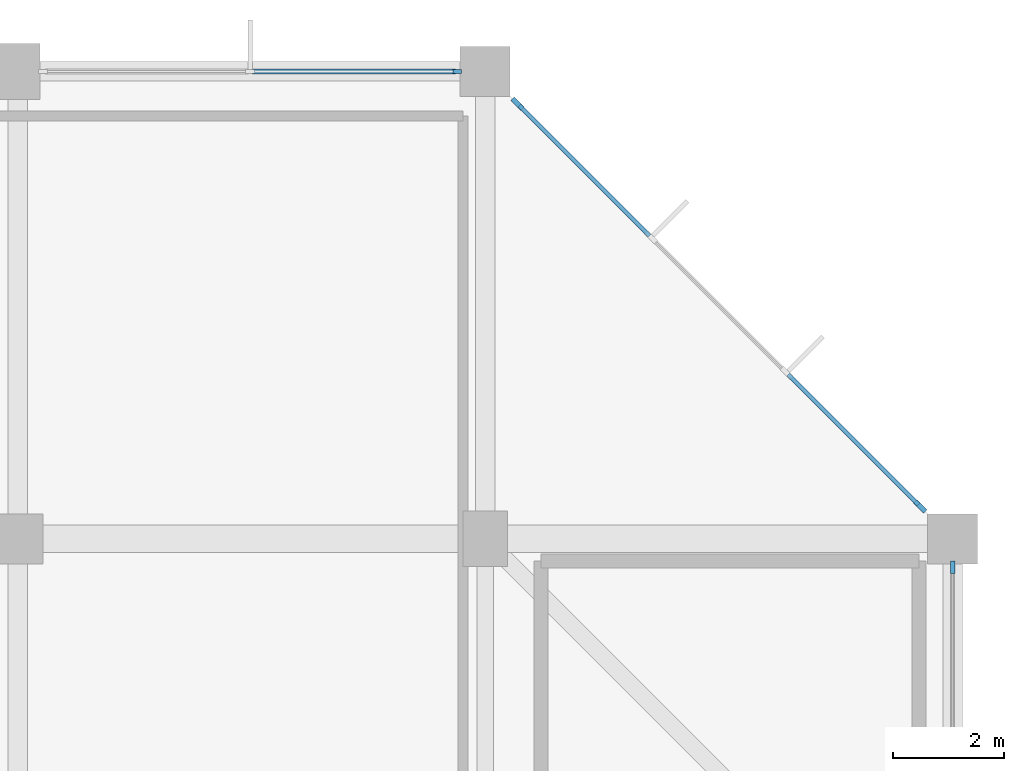
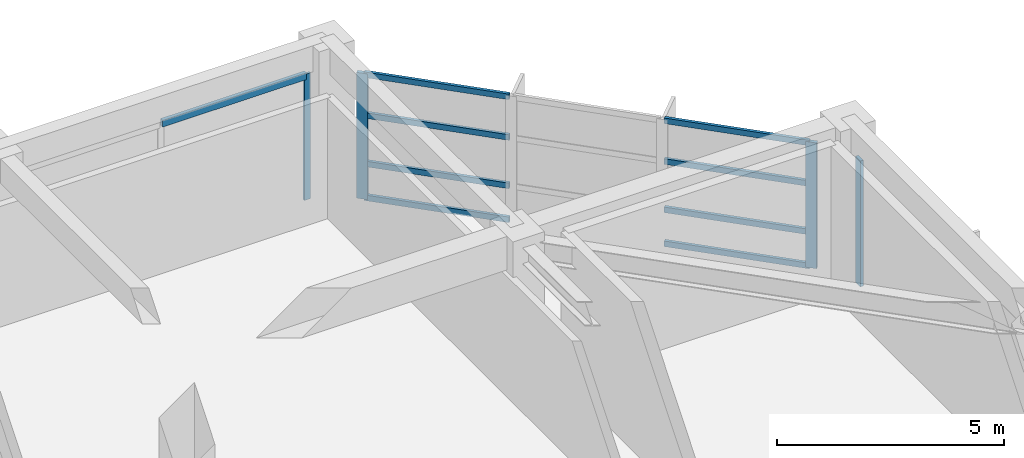
# One storey, part 7 of 12: 13 members, 3 elements without a shape of their own.
"""IFC4 building model written with IfcOpenShell, lengths in metres."""

from ifc_helpers import new_model, si_unit, direction, frame, origin, origin_2d, place, context, subcontext, project, spatial, rectangle, extrude, material, material_profile, profile_set, type_object, element, aggregate, save


model = new_model("IFC4")

# Units and contexts
model_context = context("Model", 3, precision=1e-05, world=origin(), true_north=direction((0.0, 1.0)))
body_context = subcontext(model_context, "Body", "Model", "MODEL_VIEW")
ifc_project = project(units=[si_unit("LENGTHUNIT", "METRE"), si_unit("AREAUNIT", "SQUARE_METRE"), si_unit("VOLUMEUNIT", "CUBIC_METRE"), si_unit("PLANEANGLEUNIT", "RADIAN"), si_unit("MASSUNIT", "GRAM", prefix="KILO")], contexts=[model_context])

# Site, building, storey
site_placement = place(None, origin())
site = spatial("IfcSite", under=ifc_project, at=site_placement, CompositionType="ELEMENT")
building_placement = place(site_placement, origin())
building = spatial("IfcBuilding", under=site, at=building_placement, Name="Xuanlan Plaza Opera House", CompositionType="ELEMENT")
storey_placement = place(building_placement, frame((0.0, 0.0, 65.699951171875)))
storey = spatial("IfcBuildingStorey", under=building, at=storey_placement, Name="L15", CompositionType="ELEMENT", Elevation=65.699951171875)

# Curtain wall, member
ifc_material_1 = material(Name="Anodised Aluminium 6063-T6 and Low-E Glass", Category="aluminium")
curtain_wall_type_1 = type_object("IfcCurtainWallType", Name="ENV-CW-CW-02", PredefinedType="USERDEFINED", material=ifc_material_1)
curtain_wall_1_placement = place(storey_placement, origin())
curtain_wall_1 = element("IfcCurtainWall", 1, at=curtain_wall_1_placement, inside=storey, type_object=curtain_wall_type_1, Name="Unitised Curtain Wall L15-009", ObjectType="UNITISED CURTAIN WALL", PredefinedType="USERDEFINED")
ifc_material_2 = material(Name="Anodised Aluminium 6063-T6", Category="aluminium")
ifc_material_profile_1 = material_profile(ifc_material_2, rectangle(XDim=0.06494140625, YDim=0.159912109375, at=origin_2d()), Name="ALU-M 65x160")
ifc_profile_set_1 = profile_set([ifc_material_profile_1], Name="Anodised Aluminium 6063-T6")
member_type_1 = type_object("IfcMemberType", Name="ENV-CWM-01", PredefinedType="MULLION", material=ifc_profile_set_1)
member_1_placement = place(storey_placement, frame((150.697509765625, 84.0, 0.0), z_axis=(0.0, 0.0, 1.0), x_axis=(0.0, -1.0, 0.0)))
member_1 = element("IfcMember", 2, at=member_1_placement, type_object=member_type_1, Name="CW-02 mullion 1", PredefinedType="MULLION", context=body_context, shape_type="SweptSolid", body=[
    extrude(rectangle(XDim=0.06494140625, YDim=0.159912109375, at=origin_2d()), origin(), (0.0, 0.0, 1.0), 3.380126953125),
])

curtain_wall_type_2 = type_object("IfcCurtainWallType", Name="ENV-CW-CW-04", PredefinedType="USERDEFINED", material=ifc_material_1)
curtain_wall_2_placement = place(storey_placement, origin())
curtain_wall_2 = element("IfcCurtainWall", 3, at=curtain_wall_2_placement, inside=storey, type_object=curtain_wall_type_2, Name="Unitised Curtain Wall L15-007", ObjectType="UNITISED CURTAIN WALL", PredefinedType="USERDEFINED")
ifc_material_profile_2 = material_profile(ifc_material_2, rectangle(XDim=0.080078125, YDim=0.219970703125, at=origin_2d()), Name="ALU-M 80x220")
ifc_profile_set_2 = profile_set([ifc_material_profile_2], Name="Anodised Aluminium 6063-T6")
member_type_2 = type_object("IfcMemberType", Name="ENV-CWM-04", PredefinedType="MULLION", material=ifc_profile_set_2)
member_2_placement = place(storey_placement, frame((159.60009765625, 75.090087890625, 0.0), z_axis=(0.0, 0.0, 1.0), x_axis=(-1.0, 0.0, 0.0)))
member_2 = element("IfcMember", 4, at=member_2_placement, type_object=member_type_2, Name="CW-04 mullion 3", PredefinedType="MULLION", context=body_context, shape_type="SweptSolid", body=[
    extrude(rectangle(XDim=0.080078125, YDim=0.219970703125, at=origin_2d()), origin(), (0.0, 0.0, 1.0), 3.380126953125),
])
aggregate(curtain_wall_2, [member_2])

# Curtain wall, members
curtain_wall_type_3 = type_object("IfcCurtainWallType", Name="ENV-CW-CW-01", PredefinedType="USERDEFINED", material=ifc_material_1)
curtain_wall_3_placement = place(storey_placement, origin())
curtain_wall_3 = element("IfcCurtainWall", 5, at=curtain_wall_3_placement, inside=storey, type_object=curtain_wall_type_3, Name="Unitised Curtain Wall L15-008", ObjectType="UNITISED CURTAIN WALL", PredefinedType="USERDEFINED")
ifc_material_profile_3 = material_profile(ifc_material_2, rectangle(XDim=0.090087890625, YDim=0.25, at=origin_2d()), Name="ALU-M 90x250")
ifc_profile_set_3 = profile_set([ifc_material_profile_3], Name="Anodised Aluminium 6063-T6")
member_type_3 = type_object("IfcMemberType", Name="ENV-CWM-05", PredefinedType="MULLION", material=ifc_profile_set_3)
member_3_placement = place(storey_placement, frame((159.019287109375, 76.180908203125, 0.0), z_axis=(0.0, 0.0, 1.0), x_axis=(-0.707106781187, -0.707106781187, 0.0)))
member_3 = element("IfcMember", 6, at=member_3_placement, type_object=member_type_3, Name="CW-01 mullion 1", PredefinedType="MULLION", context=body_context, shape_type="SweptSolid", body=[
    extrude(rectangle(XDim=0.090087890625, YDim=0.25, at=origin_2d()), origin(), (0.0, 0.0, 1.0), 3.380126953125),
])
member_4_placement = place(storey_placement, frame((151.78076171875, 83.419189453125, 0.0), z_axis=(0.0, 0.0, 1.0), x_axis=(-0.707106781187, -0.707106781187, 0.0)))
member_4 = element("IfcMember", 7, at=member_4_placement, type_object=member_type_3, Name="CW-01 mullion 4", PredefinedType="MULLION", context=body_context, shape_type="SweptSolid", body=[
    extrude(rectangle(XDim=0.090087890625, YDim=0.25, at=origin_2d()), origin(), (0.0, 0.0, 1.0), 3.380126953125),
])
ifc_material_profile_4 = material_profile(ifc_material_2, rectangle(XDim=0.074951171875, YDim=0.14990234375, at=origin_2d()), Name="ALU-T 75x150")
ifc_profile_set_4 = profile_set([ifc_material_profile_4], Name="Anodised Aluminium 6063-T6")
member_type_4 = type_object("IfcMemberType", Name="ENV-CWT-03", PredefinedType="USERDEFINED", material=ifc_profile_set_4)
member_5_placement = place(storey_placement, frame((158.9873046875, 76.212646484375, 0.03759765625), z_axis=(-0.707069869079, 0.707143691367, 0.0), x_axis=(-0.707143691367, -0.707069869079, 0.0)))
member_5 = element("IfcMember", 8, at=member_5_placement, type_object=member_type_4, Name="CW-01 transom 1.1", ObjectType="TRANSOM", PredefinedType="USERDEFINED", context=body_context, shape_type="SweptSolid", body=[
    extrude(rectangle(XDim=0.074951171875, YDim=0.14990234375, at=origin_2d()), origin(), (0.0, 0.0, 1.0), 3.30712890625),
])
member_6_placement = place(storey_placement, frame((158.9873046875, 76.212646484375, 0.949951171875), z_axis=(-0.707069869079, 0.707143691367, 0.0), x_axis=(-0.707143691367, -0.707069869079, 0.0)))
member_6 = element("IfcMember", 9, at=member_6_placement, type_object=member_type_4, Name="CW-01 transom 1.2", ObjectType="TRANSOM", PredefinedType="USERDEFINED", context=body_context, shape_type="SweptSolid", body=[
    extrude(rectangle(XDim=0.074951171875, YDim=0.14990234375, at=origin_2d()), origin(), (0.0, 0.0, 1.0), 3.30712890625),
])
member_7_placement = place(storey_placement, frame((158.9873046875, 76.212646484375, 2.25), z_axis=(-0.707069869079, 0.707143691367, 0.0), x_axis=(-0.707143691367, -0.707069869079, 0.0)))
member_7 = element("IfcMember", 10, at=member_7_placement, type_object=member_type_4, Name="CW-01 transom 1.3", ObjectType="TRANSOM", PredefinedType="USERDEFINED", context=body_context, shape_type="SweptSolid", body=[
    extrude(rectangle(XDim=0.074951171875, YDim=0.14990234375, at=origin_2d()), origin(), (0.0, 0.0, 1.0), 3.30712890625),
])
member_8_placement = place(storey_placement, frame((158.9873046875, 76.212646484375, 3.342529296875), z_axis=(-0.707069869079, 0.707143691367, 0.0), x_axis=(-0.707143691367, -0.707069869079, 0.0)))
member_8 = element("IfcMember", 11, at=member_8_placement, type_object=member_type_4, Name="CW-01 transom 1.4", ObjectType="TRANSOM", PredefinedType="USERDEFINED", context=body_context, shape_type="SweptSolid", body=[
    extrude(rectangle(XDim=0.074951171875, YDim=0.14990234375, at=origin_2d()), origin(), (0.0, 0.0, 1.0), 3.30712890625),
])
member_9_placement = place(storey_placement, frame((154.151123046875, 81.048828125, 0.03759765625), z_axis=(-0.707069869079, 0.707143691367, 0.0), x_axis=(-0.707143691367, -0.707069869079, 0.0)))
member_9 = element("IfcMember", 12, at=member_9_placement, type_object=member_type_4, Name="CW-01 transom 3.1", ObjectType="TRANSOM", PredefinedType="USERDEFINED", context=body_context, shape_type="SweptSolid", body=[
    extrude(rectangle(XDim=0.074951171875, YDim=0.14990234375, at=origin_2d()), origin(), (0.0, 0.0, 1.0), 3.30712890625),
])
member_10_placement = place(storey_placement, frame((154.151123046875, 81.048828125, 0.949951171875), z_axis=(-0.707069869079, 0.707143691367, 0.0), x_axis=(-0.707143691367, -0.707069869079, 0.0)))
member_10 = element("IfcMember", 13, at=member_10_placement, type_object=member_type_4, Name="CW-01 transom 3.2", ObjectType="TRANSOM", PredefinedType="USERDEFINED", context=body_context, shape_type="SweptSolid", body=[
    extrude(rectangle(XDim=0.074951171875, YDim=0.14990234375, at=origin_2d()), origin(), (0.0, 0.0, 1.0), 3.30712890625),
])
member_11_placement = place(storey_placement, frame((154.151123046875, 81.048828125, 2.25), z_axis=(-0.707069869079, 0.707143691367, 0.0), x_axis=(-0.707143691367, -0.707069869079, 0.0)))
member_11 = element("IfcMember", 14, at=member_11_placement, type_object=member_type_4, Name="CW-01 transom 3.3", ObjectType="TRANSOM", PredefinedType="USERDEFINED", context=body_context, shape_type="SweptSolid", body=[
    extrude(rectangle(XDim=0.074951171875, YDim=0.14990234375, at=origin_2d()), origin(), (0.0, 0.0, 1.0), 3.30712890625),
])
member_12_placement = place(storey_placement, frame((154.151123046875, 81.048828125, 3.342529296875), z_axis=(-0.707069869079, 0.707143691367, 0.0), x_axis=(-0.707143691367, -0.707069869079, 0.0)))
member_12 = element("IfcMember", 15, at=member_12_placement, type_object=member_type_4, Name="CW-01 transom 3.4", ObjectType="TRANSOM", PredefinedType="USERDEFINED", context=body_context, shape_type="SweptSolid", body=[
    extrude(rectangle(XDim=0.074951171875, YDim=0.14990234375, at=origin_2d()), origin(), (0.0, 0.0, 1.0), 3.30712890625),
])
aggregate(curtain_wall_3, [member_3, member_4, member_5, member_6, member_7, member_8, member_9, member_10, member_11, member_12])

# Member
ifc_material_profile_5 = material_profile(ifc_material_2, rectangle(XDim=0.090087890625, YDim=0.179931640625, at=origin_2d()), Name="ALU-T 90x180")
ifc_profile_set_5 = profile_set([ifc_material_profile_5], Name="Anodised Aluminium 6063-T6")
member_type_5 = type_object("IfcMemberType", Name="ENV-CWT-05", PredefinedType="USERDEFINED", material=ifc_profile_set_5)
member_13_placement = place(storey_placement, frame((150.6650390625, 84.0, 3.3349609375), z_axis=(-1.0, 0.0, 0.0), x_axis=(0.0, -1.0, 0.0)))
member_13 = element("IfcMember", 16, at=member_13_placement, type_object=member_type_5, Name="CW-02 transom 1.4", ObjectType="TRANSOM", PredefinedType="USERDEFINED", context=body_context, shape_type="SweptSolid", body=[
    extrude(rectangle(XDim=0.090087890625, YDim=0.179931640625, at=origin_2d()), origin(), (0.0, 0.0, 1.0), 3.657470703125),
])

aggregate(curtain_wall_1, [member_1, member_13])

save(model, "model.ifc")
